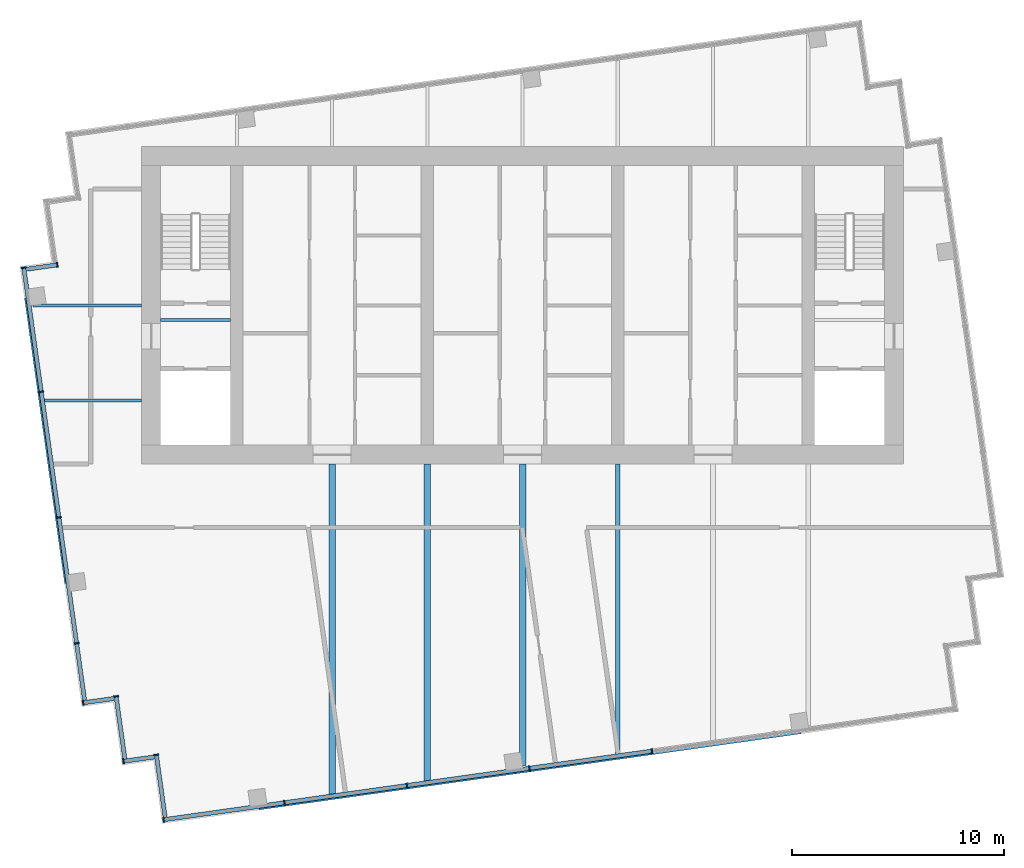
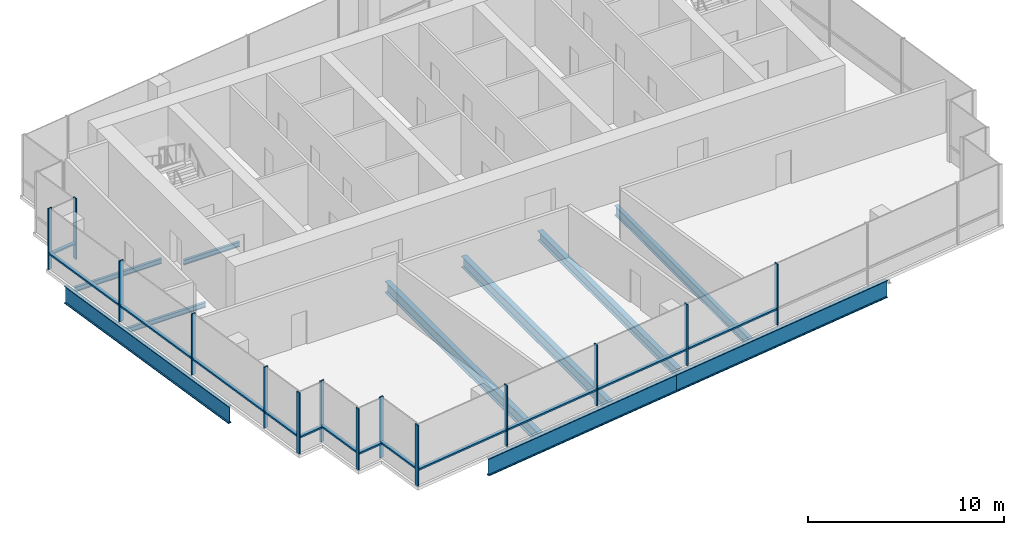
# One storey, part 2 of 10: 27 members, 10 beams, 7 elements without a shape of their own.
"""IFC4 building model written with IfcOpenShell, lengths in metres."""

from ifc_helpers import new_model, si_unit, direction, frame, origin, origin_2d, place, context, subcontext, project, spatial, rectangle, i_section, extrude, material, layer, layer_set, material_profile, profile_set, type_object, element, aggregate, save


model = new_model("IFC4")

# Units and contexts
model_context = context("Model", 3, precision=1e-05, world=origin(), true_north=direction((0.0, 1.0)))
body_context = subcontext(model_context, "Body", "Model", "MODEL_VIEW")
ifc_project = project(units=[si_unit("LENGTHUNIT", "METRE"), si_unit("AREAUNIT", "SQUARE_METRE"), si_unit("VOLUMEUNIT", "CUBIC_METRE"), si_unit("PLANEANGLEUNIT", "RADIAN"), si_unit("MASSUNIT", "GRAM", prefix="KILO")], contexts=[model_context])

# Site, building, storey
site_placement = place(None, origin())
site = spatial("IfcSite", under=ifc_project, at=site_placement, CompositionType="ELEMENT")
building_placement = place(site_placement, origin())
building = spatial("IfcBuilding", under=site, at=building_placement, Name="Rattan Terrace Tower", CompositionType="ELEMENT")
storey_placement = place(building_placement, frame((0.0, 0.0, 300.300048828125)))
storey = spatial("IfcBuildingStorey", under=building, at=storey_placement, Name="C03", CompositionType="ELEMENT", Elevation=300.300048828125)

# Beams
ifc_material_1 = material(Name="Steel S460", Category="steel")
ifc_material_profile_1 = material_profile(ifc_material_1, i_section(OverallWidth=0.179931640625, OverallDepth=1.10009765625, WebThickness=0.01611328125, FlangeThickness=0.050048828125, at=origin_2d()), Name="PG 1100x180-16-50")
ifc_profile_set_1 = profile_set([ifc_material_profile_1], Name="Steel S460")
beam_type_1 = type_object("IfcBeamType", Name="Frame edge girder PG 1100x180-16-50", PredefinedType="SPANDREL", material=ifc_profile_set_1)
beam_1_placement = place(storey_placement, frame((-12.45703125, -23.7509765625, -0.75), z_axis=(0.990268332234, 0.139171226104, 0.0), x_axis=(-0.139171226104, 0.990268332234, 0.0)))
element("IfcBeam", 1, at=beam_1_placement, inside=storey, type_object=beam_type_1, Name="gdr-C03-001", PredefinedType="SPANDREL", context=body_context, shape_type="SweptSolid", body=[
    extrude(i_section(OverallWidth=0.179931640625, OverallDepth=1.10009765625, WebThickness=0.01611328125, FlangeThickness=0.050048828125, at=origin_2d()), origin(), (0.0, 0.0, 1.0), 12.21484375),
])
beam_2_placement = place(storey_placement, frame((-0.361083984375, -22.051025390625, -0.75), z_axis=(0.990271390556, 0.139149462974, 0.0), x_axis=(-0.139149462974, 0.990271390556, 0.0)))
element("IfcBeam", 2, at=beam_2_placement, inside=storey, type_object=beam_type_1, Name="gdr-C03-002", PredefinedType="SPANDREL", context=body_context, shape_type="SweptSolid", body=[
    extrude(i_section(OverallWidth=0.179931640625, OverallDepth=1.10009765625, WebThickness=0.01611328125, FlangeThickness=0.050048828125, at=origin_2d()), origin(), (0.0, 0.0, 1.0), 13.632568359375),
])
beam_3_placement = place(storey_placement, frame((-23.448974609375, 0.361083984375, -0.75), z_axis=(0.139219709116, -0.990261517274, 0.0), x_axis=(0.990261517274, 0.139219709116, 0.0)))
element("IfcBeam", 3, at=beam_3_placement, inside=storey, type_object=beam_type_1, Name="gdr-C03-003", PredefinedType="SPANDREL", context=body_context, shape_type="SweptSolid", body=[
    extrude(i_section(OverallWidth=0.179931640625, OverallDepth=1.10009765625, WebThickness=0.01611328125, FlangeThickness=0.050048828125, at=origin_2d()), origin(), (0.0, 0.0, 1.0), 13.6328125),
])
ifc_material_2 = material(Name="Steel S355", Category="steel")
ifc_material_profile_2 = material_profile(ifc_material_2, i_section(OverallWidth=0.300048828125, OverallDepth=0.60009765625, WebThickness=0.015380859375, FlangeThickness=0.030029296875, FilletRadius=0.027099609375, at=origin_2d()), Name="HE 600 B")
ifc_profile_set_2 = profile_set([ifc_material_profile_2], Name="Steel S355")
beam_type_2 = type_object("IfcBeamType", Name="Frame floor beam HE 600 B", PredefinedType="JOIST", material=ifc_profile_set_2)
beam_4_placement = place(storey_placement, frame((0.0, -21.743896484375, -0.5), z_axis=(0.0, 1.0, 0.0), x_axis=(-1.0, 0.0, 0.0)))
element("IfcBeam", 4, at=beam_4_placement, inside=storey, type_object=beam_type_2, Name="bm-C03-005", PredefinedType="JOIST", context=body_context, shape_type="SweptSolid", body=[
    extrude(i_section(OverallWidth=0.300048828125, OverallDepth=0.60009765625, WebThickness=0.015380859375, FlangeThickness=0.030029296875, FilletRadius=0.027099609375, at=origin_2d()), origin(), (0.0, 0.0, 1.0), 14.243896484375),
])
ifc_material_3 = material(Name="Steel S355", Category="steel")
ifc_material_profile_3 = material_profile(ifc_material_3, i_section(OverallWidth=0.300048828125, OverallDepth=0.699951171875, WebThickness=0.01708984375, FlangeThickness=0.031982421875, FilletRadius=0.027099609375, at=origin_2d()), Name="HE 700 B")
ifc_profile_set_3 = profile_set([ifc_material_profile_3], Name="Steel S355")
beam_type_3 = type_object("IfcBeamType", Name="Frame floor beam HE 700 B", PredefinedType="JOIST", material=ifc_profile_set_3)
beam_5_placement = place(storey_placement, frame((-9.0, -23.174072265625, -0.550048828125), z_axis=(0.0, 1.0, 0.0), x_axis=(-1.0, 0.0, 0.0)))
element("IfcBeam", 5, at=beam_5_placement, inside=storey, type_object=beam_type_3, Name="bm-C03-003", PredefinedType="JOIST", context=body_context, shape_type="SweptSolid", body=[
    extrude(i_section(OverallWidth=0.300048828125, OverallDepth=0.699951171875, WebThickness=0.01708984375, FlangeThickness=0.031982421875, FilletRadius=0.027099609375, at=origin_2d()), origin(), (0.0, 0.0, 1.0), 15.674072265625),
])
beam_6_placement = place(storey_placement, frame((-4.5, -22.5419921875, -0.550048828125), z_axis=(0.0, 1.0, 0.0), x_axis=(-1.0, 0.0, 0.0)))
element("IfcBeam", 6, at=beam_6_placement, inside=storey, type_object=beam_type_3, Name="bm-C03-004", PredefinedType="JOIST", context=body_context, shape_type="SweptSolid", body=[
    extrude(i_section(OverallWidth=0.300048828125, OverallDepth=0.699951171875, WebThickness=0.01708984375, FlangeThickness=0.031982421875, FilletRadius=0.027099609375, at=origin_2d()), origin(), (0.0, 0.0, 1.0), 15.0419921875),
])
ifc_material_4 = material(Name="Steel S355", Category="steel")
ifc_material_profile_4 = material_profile(ifc_material_4, i_section(OverallWidth=0.14990234375, OverallDepth=0.300048828125, WebThickness=0.007080078125, FlangeThickness=0.0107421875, FilletRadius=0.014892578125, at=origin_2d()), Name="IPE 300")
ifc_profile_set_4 = profile_set([ifc_material_profile_4], Name="Steel S355")
beam_type_4 = type_object("IfcBeamType", Name="Frame floor beam IPE 300", PredefinedType="JOIST", material=ifc_profile_set_4)
beam_7_placement = place(storey_placement, frame((-17.10009765625, -0.695068359375, -0.35009765625), z_axis=(1.0, 0.0, 0.0), x_axis=(0.0, 1.0, 0.0)))
element("IfcBeam", 7, at=beam_7_placement, inside=storey, type_object=beam_type_4, Name="bm-C03-001", PredefinedType="JOIST", context=body_context, shape_type="SweptSolid", body=[
    extrude(i_section(OverallWidth=0.14990234375, OverallDepth=0.300048828125, WebThickness=0.007080078125, FlangeThickness=0.0107421875, FilletRadius=0.014892578125, at=origin_2d()), origin(), (0.0, 0.0, 1.0), 3.300048828125),
])
beam_8_placement = place(storey_placement, frame((-22.675048828125, -4.5, -0.35009765625), z_axis=(1.0, 0.0, 0.0), x_axis=(0.0, 1.0, 0.0)))
element("IfcBeam", 8, at=beam_8_placement, inside=storey, type_object=beam_type_4, Name="bm-C03-009", PredefinedType="JOIST", context=body_context, shape_type="SweptSolid", body=[
    extrude(i_section(OverallWidth=0.14990234375, OverallDepth=0.300048828125, WebThickness=0.007080078125, FlangeThickness=0.0107421875, FilletRadius=0.014892578125, at=origin_2d()), origin(), (0.0, 0.0, 1.0), 4.675048828125),
])
beam_9_placement = place(storey_placement, frame((-23.14111328125, 0.0, -0.35009765625), z_axis=(1.0, 0.0, 0.0), x_axis=(0.0, 1.0, 0.0)))
element("IfcBeam", 9, at=beam_9_placement, inside=storey, type_object=beam_type_4, Name="bm-C03-010", PredefinedType="JOIST", context=body_context, shape_type="SweptSolid", body=[
    extrude(i_section(OverallWidth=0.14990234375, OverallDepth=0.300048828125, WebThickness=0.007080078125, FlangeThickness=0.0107421875, FilletRadius=0.014892578125, at=origin_2d()), origin(), (0.0, 0.0, 1.0), 5.14111328125),
])
ifc_material_5 = material(Name="Steel S355", Category="steel")
ifc_material_profile_5 = material_profile(ifc_material_5, i_section(OverallWidth=0.22412109375, OverallDepth=0.610107421875, WebThickness=0.014892578125, FlangeThickness=0.02392578125, FilletRadius=0.02392578125, at=origin_2d()), Name="IPE O 600")
ifc_profile_set_5 = profile_set([ifc_material_profile_5], Name="Steel S355")
beam_type_5 = type_object("IfcBeamType", Name="Frame floor beam IPE O 600", PredefinedType="JOIST", material=ifc_profile_set_5)
beam_10_placement = place(storey_placement, frame((4.5, -21.277099609375, -0.505126953125), z_axis=(0.0, 1.0, 0.0), x_axis=(-1.0, 0.0, 0.0)))
element("IfcBeam", 10, at=beam_10_placement, inside=storey, type_object=beam_type_5, Name="bm-C03-006", PredefinedType="JOIST", context=body_context, shape_type="SweptSolid", body=[
    extrude(i_section(OverallWidth=0.22412109375, OverallDepth=0.610107421875, WebThickness=0.014892578125, FlangeThickness=0.02392578125, FilletRadius=0.02392578125, at=origin_2d()), origin(), (0.0, 0.0, 1.0), 13.777099609375),
])

# Curtain wall, members
ifc_material_6 = material(Name="Aluminium and laminated glass", Category="aluminium")
ifc_layer = layer(ifc_material_6, 0.239990234375)
ifc_layer_set = layer_set([ifc_layer], Name="Lantern Stick Curtain Wall")
curtain_wall_type = type_object("IfcCurtainWallType", Name="Lantern Stick Curtain Wall", PredefinedType="NOTDEFINED", material=ifc_layer_set)
curtain_wall_1_placement = place(storey_placement, origin())
curtain_wall_1 = element("IfcCurtainWall", 11, at=curtain_wall_1_placement, inside=storey, type_object=curtain_wall_type, Name="Lantern curtain wall C03-1", PredefinedType="NOTDEFINED")
ifc_material_7 = material(Name="Aluminium", Category="aluminium")
ifc_material_profile_6 = material_profile(ifc_material_7, rectangle(XDim=0.070068359375, YDim=0.239990234375, at=origin_2d()), Name="Aluminium 70x240")
ifc_profile_set_6 = profile_set([ifc_material_profile_6], Name="Aluminium")
member_type_1 = type_object("IfcMemberType", Name="Lantern CW Mullion 70x240", PredefinedType="MULLION", material=ifc_profile_set_6)
member_1_placement = place(storey_placement, frame((-23.56689453125, 1.776611328125, 0.0), z_axis=(0.0, 0.0, 1.0), x_axis=(0.139187707455, -0.990266015823, 0.0)))
member_1 = element("IfcMember", 12, at=member_1_placement, type_object=member_type_1, Name="Mullion cwl-C03-001.1", PredefinedType="MULLION", context=body_context, shape_type="SweptSolid", body=[
    extrude(rectangle(XDim=0.070068359375, YDim=0.239990234375, at=origin_2d()), origin(), (0.0, 0.0, 1.0), 3.800048828125),
])
member_2_placement = place(storey_placement, frame((-22.74365234375, -4.080810546875, 0.0), z_axis=(0.0, 0.0, 1.0), x_axis=(0.139187707455, -0.990266015823, 0.0)))
member_2 = element("IfcMember", 13, at=member_2_placement, type_object=member_type_1, Name="Mullion cwl-C03-001.2", PredefinedType="MULLION", context=body_context, shape_type="SweptSolid", body=[
    extrude(rectangle(XDim=0.070068359375, YDim=0.239990234375, at=origin_2d()), origin(), (0.0, 0.0, 1.0), 3.800048828125),
])
member_3_placement = place(storey_placement, frame((-21.908447265625, -10.0224609375, 0.0), z_axis=(0.0, 0.0, 1.0), x_axis=(0.139187707455, -0.990266015823, 0.0)))
member_3 = element("IfcMember", 14, at=member_3_placement, type_object=member_type_1, Name="Mullion cwl-C03-001.3", PredefinedType="MULLION", context=body_context, shape_type="SweptSolid", body=[
    extrude(rectangle(XDim=0.070068359375, YDim=0.239990234375, at=origin_2d()), origin(), (0.0, 0.0, 1.0), 3.800048828125),
])
member_4_placement = place(storey_placement, frame((-21.0732421875, -15.964111328125, 0.0), z_axis=(0.0, 0.0, 1.0), x_axis=(0.139187707455, -0.990266015823, 0.0)))
member_4 = element("IfcMember", 15, at=member_4_placement, type_object=member_type_1, Name="Mullion cwl-C03-001.4", PredefinedType="MULLION", context=body_context, shape_type="SweptSolid", body=[
    extrude(rectangle(XDim=0.070068359375, YDim=0.239990234375, at=origin_2d()), origin(), (0.0, 0.0, 1.0), 3.800048828125),
])

# Curtain wall, member
curtain_wall_2_placement = place(storey_placement, origin())
curtain_wall_2 = element("IfcCurtainWall", 16, at=curtain_wall_2_placement, inside=storey, type_object=curtain_wall_type, Name="Lantern curtain wall C03-2", PredefinedType="NOTDEFINED")
member_5_placement = place(storey_placement, frame((-20.763427734375, -18.77880859375, 0.0), z_axis=(0.0, 0.0, 1.0), x_axis=(0.990227803001, 0.139459306479, 0.0)))
member_5 = element("IfcMember", 17, at=member_5_placement, type_object=member_type_1, Name="Mullion cwl-C03-002.1", PredefinedType="MULLION", context=body_context, shape_type="SweptSolid", body=[
    extrude(rectangle(XDim=0.070068359375, YDim=0.239990234375, at=origin_2d()), origin(), (0.0, 0.0, 1.0), 3.800048828125),
])

curtain_wall_3_placement = place(storey_placement, origin())
curtain_wall_3 = element("IfcCurtainWall", 18, at=curtain_wall_3_placement, inside=storey, type_object=curtain_wall_type, Name="Lantern curtain wall C03-3", PredefinedType="NOTDEFINED")
member_6_placement = place(storey_placement, frame((-19.207275390625, -18.473876953125, 0.0), z_axis=(0.0, 0.0, 1.0), x_axis=(0.139555918709, -0.990214191755, 0.0)))
member_6 = element("IfcMember", 19, at=member_6_placement, type_object=member_type_1, Name="Mullion cwl-C03-003.1", PredefinedType="MULLION", context=body_context, shape_type="SweptSolid", body=[
    extrude(rectangle(XDim=0.070068359375, YDim=0.239990234375, at=origin_2d()), origin(), (0.0, 0.0, 1.0), 3.800048828125),
])

curtain_wall_4_placement = place(storey_placement, origin())
curtain_wall_4 = element("IfcCurtainWall", 20, at=curtain_wall_4_placement, inside=storey, type_object=curtain_wall_type, Name="Lantern curtain wall C03-4", PredefinedType="NOTDEFINED")
member_7_placement = place(storey_placement, frame((-18.860595703125, -21.54296875, 0.0), z_axis=(0.0, 0.0, 1.0), x_axis=(0.990319742912, 0.13880492354, 0.0)))
member_7 = element("IfcMember", 21, at=member_7_placement, type_object=member_type_1, Name="Mullion cwl-C03-004.1", PredefinedType="MULLION", context=body_context, shape_type="SweptSolid", body=[
    extrude(rectangle(XDim=0.070068359375, YDim=0.239990234375, at=origin_2d()), origin(), (0.0, 0.0, 1.0), 3.800048828125),
])

curtain_wall_5_placement = place(storey_placement, origin())
curtain_wall_5 = element("IfcCurtainWall", 22, at=curtain_wall_5_placement, inside=storey, type_object=curtain_wall_type, Name="Lantern curtain wall C03-5", PredefinedType="NOTDEFINED")
member_8_placement = place(storey_placement, frame((-17.30419921875, -21.239013671875, 0.0), z_axis=(0.0, 0.0, 1.0), x_axis=(0.139413247769, -0.990234288614, 0.0)))
member_8 = element("IfcMember", 23, at=member_8_placement, type_object=member_type_1, Name="Mullion cwl-C03-005.1", PredefinedType="MULLION", context=body_context, shape_type="SweptSolid", body=[
    extrude(rectangle(XDim=0.070068359375, YDim=0.239990234375, at=origin_2d()), origin(), (0.0, 0.0, 1.0), 3.800048828125),
])

# Curtain wall, members
curtain_wall_6_placement = place(storey_placement, origin())
curtain_wall_6 = element("IfcCurtainWall", 24, at=curtain_wall_6_placement, inside=storey, type_object=curtain_wall_type, Name="Lantern curtain wall C03-6", PredefinedType="NOTDEFINED")
member_9_placement = place(storey_placement, frame((-16.95849609375, -24.3037109375, 0.0), z_axis=(0.0, 0.0, 1.0), x_axis=(0.990266952226, 0.13918104515, 0.0)))
member_9 = element("IfcMember", 25, at=member_9_placement, type_object=member_type_1, Name="Mullion cwl-C03-006.1", PredefinedType="MULLION", context=body_context, shape_type="SweptSolid", body=[
    extrude(rectangle(XDim=0.070068359375, YDim=0.239990234375, at=origin_2d()), origin(), (0.0, 0.0, 1.0), 3.800048828125),
])
member_10_placement = place(storey_placement, frame((-11.253662109375, -23.501953125, 0.0), z_axis=(0.0, 0.0, 1.0), x_axis=(0.990266952226, 0.13918104515, 0.0)))
member_10 = element("IfcMember", 26, at=member_10_placement, type_object=member_type_1, Name="Mullion cwl-C03-006.2", PredefinedType="MULLION", context=body_context, shape_type="SweptSolid", body=[
    extrude(rectangle(XDim=0.070068359375, YDim=0.239990234375, at=origin_2d()), origin(), (0.0, 0.0, 1.0), 3.800048828125),
])
member_11_placement = place(storey_placement, frame((-5.464599609375, -22.6884765625, 0.0), z_axis=(0.0, 0.0, 1.0), x_axis=(0.990266952226, 0.13918104515, 0.0)))
member_11 = element("IfcMember", 27, at=member_11_placement, type_object=member_type_1, Name="Mullion cwl-C03-006.3", PredefinedType="MULLION", context=body_context, shape_type="SweptSolid", body=[
    extrude(rectangle(XDim=0.070068359375, YDim=0.239990234375, at=origin_2d()), origin(), (0.0, 0.0, 1.0), 3.800048828125),
])
member_12_placement = place(storey_placement, frame((0.32470703125, -21.874755859375, 0.0), z_axis=(0.0, 0.0, 1.0), x_axis=(0.990266952226, 0.13918104515, 0.0)))
member_12 = element("IfcMember", 28, at=member_12_placement, type_object=member_type_1, Name="Mullion cwl-C03-006.4", PredefinedType="MULLION", context=body_context, shape_type="SweptSolid", body=[
    extrude(rectangle(XDim=0.070068359375, YDim=0.239990234375, at=origin_2d()), origin(), (0.0, 0.0, 1.0), 3.800048828125),
])
member_13_placement = place(storey_placement, frame((6.11376953125, -21.06103515625, 0.0), z_axis=(0.0, 0.0, 1.0), x_axis=(0.990266952226, 0.13918104515, 0.0)))
member_13 = element("IfcMember", 29, at=member_13_placement, type_object=member_type_1, Name="Mullion cwl-C03-006.5", PredefinedType="MULLION", context=body_context, shape_type="SweptSolid", body=[
    extrude(rectangle(XDim=0.070068359375, YDim=0.239990234375, at=origin_2d()), origin(), (0.0, 0.0, 1.0), 3.800048828125),
])

# Curtain wall, member
curtain_wall_7_placement = place(storey_placement, origin())
curtain_wall_7 = element("IfcCurtainWall", 30, at=curtain_wall_7_placement, inside=storey, type_object=curtain_wall_type, Name="Lantern curtain wall C03-20", PredefinedType="NOTDEFINED")
member_14_placement = place(storey_placement, frame((-21.98486328125, 1.9130859375, 0.0), z_axis=(0.0, 0.0, 1.0), x_axis=(-0.99025370695, -0.139275252184, 0.0)))
member_14 = element("IfcMember", 31, at=member_14_placement, type_object=member_type_1, Name="Mullion cwl-C03-020.1", PredefinedType="MULLION", context=body_context, shape_type="SweptSolid", body=[
    extrude(rectangle(XDim=0.070068359375, YDim=0.239990234375, at=origin_2d()), origin(), (0.0, 0.0, 1.0), 3.800048828125),
])

# Member
ifc_material_8 = material(Name="Aluminium", Category="aluminium")
ifc_material_profile_7 = material_profile(ifc_material_8, rectangle(XDim=0.199951171875, YDim=0.10009765625, at=origin_2d()), Name="Aluminium 200x100")
ifc_profile_set_7 = profile_set([ifc_material_profile_7], Name="Aluminium")
member_type_2 = type_object("IfcMemberType", Name="Lantern CW Transom 200x100", PredefinedType="USERDEFINED", material=ifc_profile_set_7)
member_15_placement = place(storey_placement, frame((-23.56201171875, 1.741943359375, 1.0), z_axis=(0.139216432116, -0.990261977978, 0.0), x_axis=(0.990261977978, 0.139216432116, 0.0)))
member_15 = element("IfcMember", 32, at=member_15_placement, type_object=member_type_2, Name="Transom cwl-C03-001.1", ObjectType="TRANSOM", PredefinedType="USERDEFINED", context=body_context, shape_type="SweptSolid", body=[
    extrude(rectangle(XDim=0.199951171875, YDim=0.10009765625, at=origin_2d()), origin(), (0.0, 0.0, 1.0), 5.844970703125),
])

member_16_placement = place(storey_placement, frame((-22.73876953125, -4.115478515625, 1.0), z_axis=(0.139196165956, -0.990264826894, 0.0), x_axis=(0.990264826894, 0.139196165956, 0.0)))
member_16 = element("IfcMember", 33, at=member_16_placement, type_object=member_type_2, Name="Transom cwl-C03-001.2", ObjectType="TRANSOM", PredefinedType="USERDEFINED", context=body_context, shape_type="SweptSolid", body=[
    extrude(rectangle(XDim=0.199951171875, YDim=0.10009765625, at=origin_2d()), origin(), (0.0, 0.0, 1.0), 5.929931640625),
])

member_17_placement = place(storey_placement, frame((-21.903564453125, -10.05712890625, 1.0), z_axis=(0.139196165956, -0.990264826894, 0.0), x_axis=(0.990264826894, 0.139196165956, 0.0)))
member_17 = element("IfcMember", 34, at=member_17_placement, type_object=member_type_2, Name="Transom cwl-C03-001.3", ObjectType="TRANSOM", PredefinedType="USERDEFINED", context=body_context, shape_type="SweptSolid", body=[
    extrude(rectangle(XDim=0.199951171875, YDim=0.10009765625, at=origin_2d()), origin(), (0.0, 0.0, 1.0), 5.929931640625),
])

member_18_placement = place(storey_placement, frame((-21.068359375, -15.998779296875, 1.0), z_axis=(0.139159755343, -0.990269944254, 0.0), x_axis=(0.990269944254, 0.139159755343, 0.0)))
member_18 = element("IfcMember", 35, at=member_18_placement, type_object=member_type_2, Name="Transom cwl-C03-001.4", ObjectType="TRANSOM", PredefinedType="USERDEFINED", context=body_context, shape_type="SweptSolid", body=[
    extrude(rectangle(XDim=0.199951171875, YDim=0.10009765625, at=origin_2d()), origin(), (0.0, 0.0, 1.0), 2.675537109375),
])

aggregate(curtain_wall_1, [member_1, member_2, member_3, member_4, member_15, member_16, member_17, member_18])

member_19_placement = place(storey_placement, frame((-20.728759765625, -18.77392578125, 1.0), z_axis=(0.990227834808, 0.139459080636, 0.0), x_axis=(-0.139459080636, 0.990227834808, 0.0)))
member_19 = element("IfcMember", 36, at=member_19_placement, type_object=member_type_2, Name="Transom cwl-C03-002.1", ObjectType="TRANSOM", PredefinedType="USERDEFINED", context=body_context, shape_type="SweptSolid", body=[
    extrude(rectangle(XDim=0.199951171875, YDim=0.10009765625, at=origin_2d()), origin(), (0.0, 0.0, 1.0), 1.428466796875),
])

aggregate(curtain_wall_2, [member_5, member_19])

member_20_placement = place(storey_placement, frame((-19.202392578125, -18.508544921875, 1.0), z_axis=(0.139532909028, -0.990217434354, 0.0), x_axis=(0.990217434354, 0.139532909028, 0.0)))
member_20 = element("IfcMember", 37, at=member_20_placement, type_object=member_type_2, Name="Transom cwl-C03-003.1", ObjectType="TRANSOM", PredefinedType="USERDEFINED", context=body_context, shape_type="SweptSolid", body=[
    extrude(rectangle(XDim=0.199951171875, YDim=0.10009765625, at=origin_2d()), origin(), (0.0, 0.0, 1.0), 2.9326171875),
])

aggregate(curtain_wall_3, [member_6, member_20])

member_21_placement = place(storey_placement, frame((-18.825927734375, -21.5380859375, 1.0), z_axis=(0.990301815941, 0.13893276555, 0.0), x_axis=(-0.13893276555, 0.990301815941, 0.0)))
member_21 = element("IfcMember", 38, at=member_21_placement, type_object=member_type_2, Name="Transom cwl-C03-004.1", ObjectType="TRANSOM", PredefinedType="USERDEFINED", context=body_context, shape_type="SweptSolid", body=[
    extrude(rectangle(XDim=0.199951171875, YDim=0.10009765625, at=origin_2d()), origin(), (0.0, 0.0, 1.0), 1.4287109375),
])

aggregate(curtain_wall_4, [member_7, member_21])

member_22_placement = place(storey_placement, frame((-17.29931640625, -21.2734375, 1.0), z_axis=(0.139401737802, -0.990235909013, 0.0), x_axis=(0.990235909013, 0.139401737802, 0.0)))
member_22 = element("IfcMember", 39, at=member_22_placement, type_object=member_type_2, Name="Transom cwl-C03-005.1", ObjectType="TRANSOM", PredefinedType="USERDEFINED", context=body_context, shape_type="SweptSolid", body=[
    extrude(rectangle(XDim=0.199951171875, YDim=0.10009765625, at=origin_2d()), origin(), (0.0, 0.0, 1.0), 2.92822265625),
])

aggregate(curtain_wall_5, [member_8, member_22])

member_23_placement = place(storey_placement, frame((-16.923828125, -24.299072265625, 1.0), z_axis=(0.990262771001, 0.139210791141, 0.0), x_axis=(-0.139210791141, 0.990262771001, 0.0)))
member_23 = element("IfcMember", 40, at=member_23_placement, type_object=member_type_2, Name="Transom cwl-C03-006.1", ObjectType="TRANSOM", PredefinedType="USERDEFINED", context=body_context, shape_type="SweptSolid", body=[
    extrude(rectangle(XDim=0.199951171875, YDim=0.10009765625, at=origin_2d()), origin(), (0.0, 0.0, 1.0), 5.69091796875),
])

member_24_placement = place(storey_placement, frame((-11.218994140625, -23.4970703125, 1.0), z_axis=(0.990265684123, 0.139190067348, 0.0), x_axis=(-0.139190067348, 0.990265684123, 0.0)))
member_24 = element("IfcMember", 41, at=member_24_placement, type_object=member_type_2, Name="Transom cwl-C03-006.2", ObjectType="TRANSOM", PredefinedType="USERDEFINED", context=body_context, shape_type="SweptSolid", body=[
    extrude(rectangle(XDim=0.199951171875, YDim=0.10009765625, at=origin_2d()), origin(), (0.0, 0.0, 1.0), 5.77587890625),
])

member_25_placement = place(storey_placement, frame((-5.429931640625, -22.68359375, 1.0), z_axis=(0.990266502976, 0.139184241508, 0.0), x_axis=(-0.139184241508, 0.990266502976, 0.0)))
member_25 = element("IfcMember", 42, at=member_25_placement, type_object=member_type_2, Name="Transom cwl-C03-006.3", ObjectType="TRANSOM", PredefinedType="USERDEFINED", context=body_context, shape_type="SweptSolid", body=[
    extrude(rectangle(XDim=0.199951171875, YDim=0.10009765625, at=origin_2d()), origin(), (0.0, 0.0, 1.0), 5.776123046875),
])

member_26_placement = place(storey_placement, frame((0.359375, -21.869873046875, 1.0), z_axis=(0.990265684123, 0.139190067348, 0.0), x_axis=(-0.139190067348, 0.990265684123, 0.0)))
member_26 = element("IfcMember", 43, at=member_26_placement, type_object=member_type_2, Name="Transom cwl-C03-006.4", ObjectType="TRANSOM", PredefinedType="USERDEFINED", context=body_context, shape_type="SweptSolid", body=[
    extrude(rectangle(XDim=0.199951171875, YDim=0.10009765625, at=origin_2d()), origin(), (0.0, 0.0, 1.0), 5.77587890625),
])

aggregate(curtain_wall_6, [member_9, member_10, member_11, member_12, member_13, member_23, member_24, member_25, member_26])

member_27_placement = place(storey_placement, frame((-22.01953125, 1.908203125, 1.0), z_axis=(-0.990257681856, -0.139246987488, 0.0), x_axis=(0.139246987488, -0.990257681856, 0.0)))
member_27 = element("IfcMember", 44, at=member_27_placement, type_object=member_type_2, Name="Transom cwl-C03-020.1", ObjectType="TRANSOM", PredefinedType="USERDEFINED", context=body_context, shape_type="SweptSolid", body=[
    extrude(rectangle(XDim=0.199951171875, YDim=0.10009765625, at=origin_2d()), origin(), (0.0, 0.0, 1.0), 1.4306640625),
])

aggregate(curtain_wall_7, [member_14, member_27])

save(model, "model.ifc")
